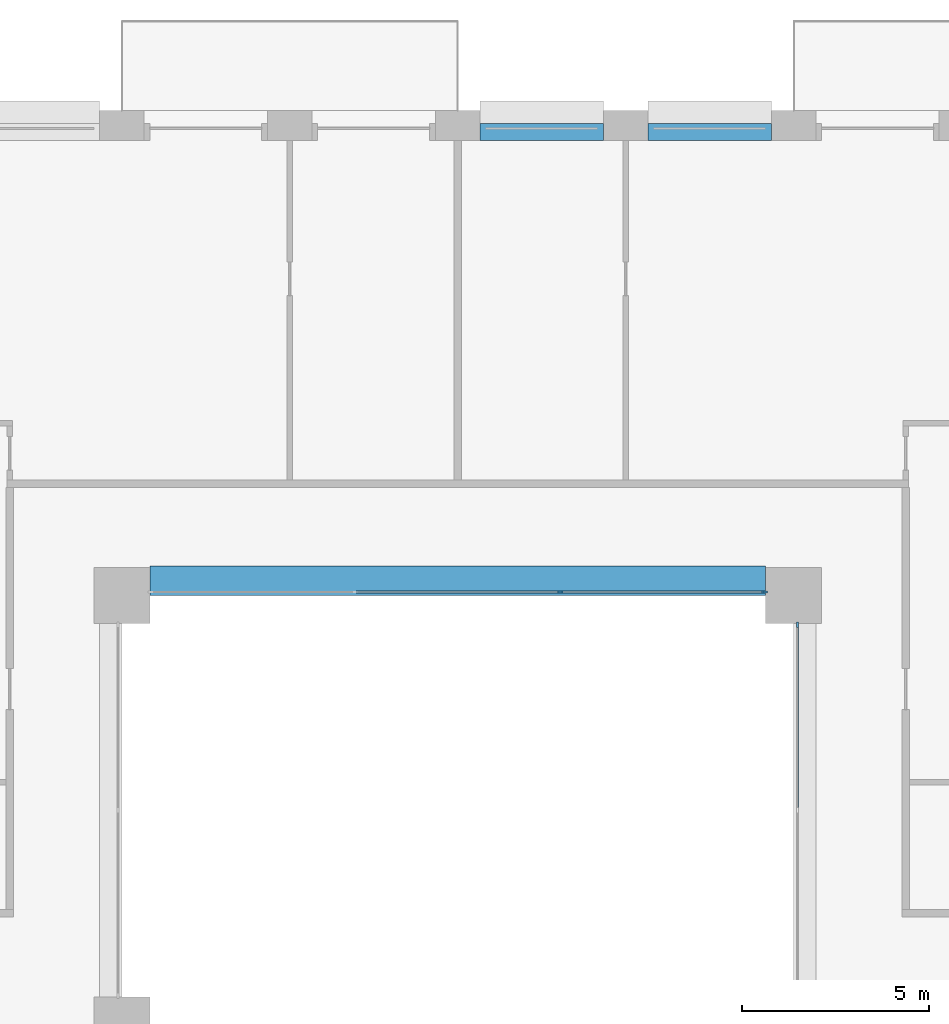
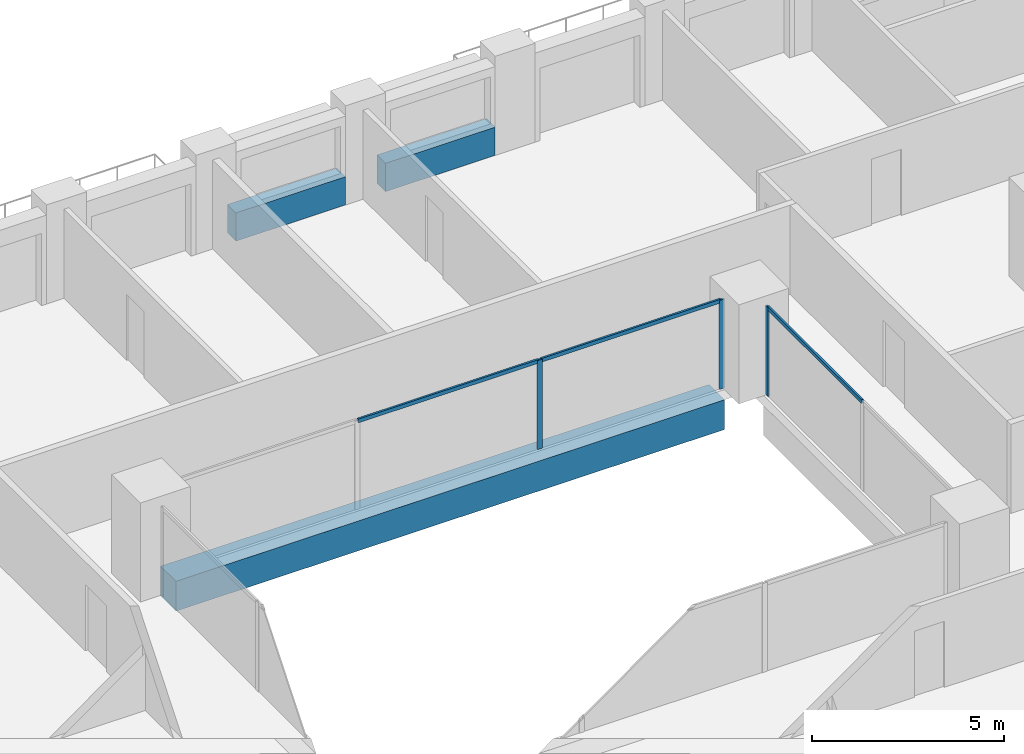
# One storey, part 7 of 19: 6 members, 3 beams, 2 elements without a shape of their own.
"""IFC4 building model written with IfcOpenShell, lengths in metres."""

from ifc_helpers import new_model, si_unit, direction, frame, origin, origin_2d, place, context, subcontext, project, spatial, rectangle, extrude, material, layer, layer_set, material_profile, profile_set, type_object, element, aggregate, save


model = new_model("IFC4")

# Units and contexts
model_context = context("Model", 3, precision=1e-05, world=origin(), true_north=direction((0.0, 1.0)))
body_context = subcontext(model_context, "Body", "Model", "MODEL_VIEW")
ifc_project = project(units=[si_unit("LENGTHUNIT", "METRE"), si_unit("AREAUNIT", "SQUARE_METRE"), si_unit("VOLUMEUNIT", "CUBIC_METRE"), si_unit("PLANEANGLEUNIT", "RADIAN"), si_unit("MASSUNIT", "GRAM", prefix="KILO")], contexts=[model_context])

# Site, building, storey
site_placement = place(None, origin())
site = spatial("IfcSite", under=ifc_project, at=site_placement, CompositionType="ELEMENT")
building_placement = place(site_placement, origin())
building = spatial("IfcBuilding", under=site, at=building_placement, Name="Brigalow Station Residences", CompositionType="ELEMENT")
storey_placement = place(building_placement, frame((0.0, 0.0, 22.64990234375)))
storey = spatial("IfcBuildingStorey", under=building, at=storey_placement, Name="L05", CompositionType="ELEMENT", Elevation=22.64990234375)

# Beam
ifc_material_1 = material(Name="Concrete C65", Category="concrete")
ifc_material_profile_1 = material_profile(ifc_material_1, rectangle(XDim=0.800048828125, YDim=0.949951171875, at=origin_2d()), Name="RC800x950")
ifc_profile_set_1 = profile_set([ifc_material_profile_1], Name="Concrete C65")
beam_type_1 = type_object("IfcBeamType", Name="ATRIUM EDGE GIRDER OVER 13.5 M SPAN 800x950 C65", PredefinedType="BEAM", material=ifc_profile_set_1)
beam_placement = place(storey_placement, frame((27.75, 35.89990234375, -0.794921875), z_axis=(1.0, 0.0, 0.0), x_axis=(0.0, 1.0, 0.0)))
element("IfcBeam", 1, at=beam_placement, inside=storey, type_object=beam_type_1, Name="ATRIUM EDGE GIRDER D L05", PredefinedType="BEAM", context=body_context, shape_type="SweptSolid", body=[
    extrude(rectangle(XDim=0.800048828125, YDim=0.949951171875, at=origin_2d()), origin(), (0.0, 0.0, 1.0), 16.5),
])

# Curtain wall, member
ifc_material_2 = material(Name="Aluminium", Category="aluminium")
ifc_layer = layer(ifc_material_2, 0.14990234375)
ifc_layer_set = layer_set([ifc_layer], Name="ATRIUM FIRE-RATED GLAZING CURTAIN WALL")
curtain_wall_type = type_object("IfcCurtainWallType", Name="ATRIUM FIRE-RATED GLAZING CURTAIN WALL", PredefinedType="NOTDEFINED", material=ifc_layer_set)
curtain_wall_1_placement = place(storey_placement, origin())
curtain_wall_1 = element("IfcCurtainWall", 2, at=curtain_wall_1_placement, inside=storey, type_object=curtain_wall_type, Name="L05/cw/atrium-E", PredefinedType="NOTDEFINED")
ifc_material_3 = material(Name="Aluminium", Category="aluminium")
ifc_material_profile_2 = material_profile(ifc_material_3, rectangle(XDim=0.06005859375, YDim=0.14990234375, at=origin_2d()), Name="ATRIUM FIRE-RATED GLAZING MULLION 60x150")
ifc_profile_set_2 = profile_set([ifc_material_profile_2], Name="Aluminium")
member_type_1 = type_object("IfcMemberType", Name="ATRIUM FIRE-RATED GLAZING MULLION 60x150", PredefinedType="MULLION", material=ifc_profile_set_2)
member_1_placement = place(storey_placement, frame((45.10009765625, 34.719970703125, 0.0), z_axis=(0.0, 0.0, 1.0), x_axis=(-1.0, 0.0, 0.0)))
member_1 = element("IfcMember", 3, at=member_1_placement, type_object=member_type_1, Name="L05/cw/atrium-E/M02", PredefinedType="MULLION", context=body_context, shape_type="SweptSolid", body=[
    extrude(rectangle(XDim=0.06005859375, YDim=0.14990234375, at=origin_2d()), origin(), (0.0, 0.0, 1.0), 2.830078125),
])

# Curtain wall, members
curtain_wall_2_placement = place(storey_placement, origin())
curtain_wall_2 = element("IfcCurtainWall", 4, at=curtain_wall_2_placement, inside=storey, type_object=curtain_wall_type, Name="L05/cw/atrium-N", PredefinedType="NOTDEFINED")
member_2_placement = place(storey_placement, frame((44.219970703125, 35.60009765625, 0.0), z_axis=(0.0, 0.0, 1.0), x_axis=(0.0, -1.0, 0.0)))
member_2 = element("IfcMember", 5, at=member_2_placement, type_object=member_type_1, Name="L05/cw/atrium-N/M00", PredefinedType="MULLION", context=body_context, shape_type="SweptSolid", body=[
    extrude(rectangle(XDim=0.06005859375, YDim=0.14990234375, at=origin_2d()), origin(), (0.0, 0.0, 1.0), 2.830078125),
])
member_3_placement = place(storey_placement, frame((38.75, 35.60009765625, 0.0), z_axis=(0.0, 0.0, 1.0), x_axis=(0.0, -1.0, 0.0)))
member_3 = element("IfcMember", 6, at=member_3_placement, type_object=member_type_1, Name="L05/cw/atrium-N/M01", PredefinedType="MULLION", context=body_context, shape_type="SweptSolid", body=[
    extrude(rectangle(XDim=0.06005859375, YDim=0.14990234375, at=origin_2d()), origin(), (0.0, 0.0, 1.0), 2.830078125),
])

# Member
ifc_material_4 = material(Name="Aluminium", Category="aluminium")
ifc_material_profile_3 = material_profile(ifc_material_4, rectangle(XDim=0.06005859375, YDim=0.1201171875, at=origin_2d()), Name="ATRIUM FIRE-RATED GLAZING TRANSOM 60x120")
ifc_profile_set_3 = profile_set([ifc_material_profile_3], Name="Aluminium")
member_type_2 = type_object("IfcMemberType", Name="ATRIUM FIRE-RATED GLAZING TRANSOM 60x120", PredefinedType="USERDEFINED", material=ifc_profile_set_3)
member_4_placement = place(storey_placement, frame((45.10009765625, 29.780029296875, 2.800048828125), z_axis=(0.0, 1.0, 0.0), x_axis=(-1.0, 0.0, 0.0)))
member_4 = element("IfcMember", 7, at=member_4_placement, type_object=member_type_2, Name="L05/cw/atrium-E/T01-00", ObjectType="TRANSOM", PredefinedType="USERDEFINED", context=body_context, shape_type="SweptSolid", body=[
    extrude(rectangle(XDim=0.06005859375, YDim=0.1201171875, at=origin_2d()), origin(), (0.0, 0.0, 1.0), 4.909912109375),
])

aggregate(curtain_wall_1, [member_1, member_4])

member_5_placement = place(storey_placement, frame((44.18994140625, 35.60009765625, 2.800048828125), z_axis=(-1.0, 0.0, 0.0), x_axis=(0.0, -1.0, 0.0)))
member_5 = element("IfcMember", 8, at=member_5_placement, type_object=member_type_2, Name="L05/cw/atrium-N/T00-00", ObjectType="TRANSOM", PredefinedType="USERDEFINED", context=body_context, shape_type="SweptSolid", body=[
    extrude(rectangle(XDim=0.06005859375, YDim=0.1201171875, at=origin_2d()), origin(), (0.0, 0.0, 1.0), 5.409912109375),
])

member_6_placement = place(storey_placement, frame((38.719970703125, 35.60009765625, 2.800048828125), z_axis=(-1.0, 0.0, 0.0), x_axis=(0.0, -1.0, 0.0)))
member_6 = element("IfcMember", 9, at=member_6_placement, type_object=member_type_2, Name="L05/cw/atrium-N/T01-00", ObjectType="TRANSOM", PredefinedType="USERDEFINED", context=body_context, shape_type="SweptSolid", body=[
    extrude(rectangle(XDim=0.06005859375, YDim=0.1201171875, at=origin_2d()), origin(), (0.0, 0.0, 1.0), 5.43994140625),
])

aggregate(curtain_wall_2, [member_2, member_3, member_5, member_6])

# Beams
ifc_material_5 = material(Name="Concrete C65", Category="concrete")
ifc_material_profile_4 = material_profile(ifc_material_5, rectangle(XDim=0.449951171875, YDim=0.89990234375, at=origin_2d()), Name="RC450x900")
ifc_profile_set_4 = profile_set([ifc_material_profile_4], Name="Concrete C65")
beam_type_2 = type_object("IfcBeamType", Name="SPANDREL BEAM 450x900 C65", PredefinedType="SPANDREL", material=ifc_profile_set_4)
for number, where, z_axis, x_axis, name in (
    (10, (44.39990234375, 47.925048828125, 0.4501953125), (-1.0, 0.0, 0.0), (0.0, -1.0, 0.0), "L05/spandrel/W-L05-31"),
    (11, (39.89990234375, 47.925048828125, 0.4501953125), (-1.0, 0.0, 0.0), (0.0, -1.0, 0.0), "L05/spandrel/W-L05-32"),
):
    element("IfcBeam", number, at=place(storey_placement, frame(where, z_axis=z_axis, x_axis=x_axis)), inside=storey, type_object=beam_type_2, Name=name, PredefinedType="SPANDREL", context=body_context, shape_type="SweptSolid", body=[
        extrude(rectangle(XDim=0.449951171875, YDim=0.89990234375, at=origin_2d()), origin(), (0.0, 0.0, 1.0), 3.2998046875),
    ])

save(model, "model.ifc")
